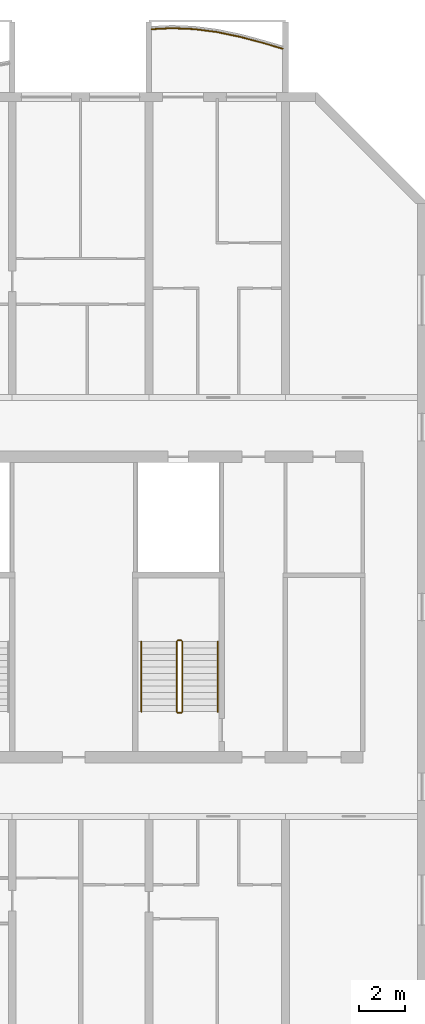
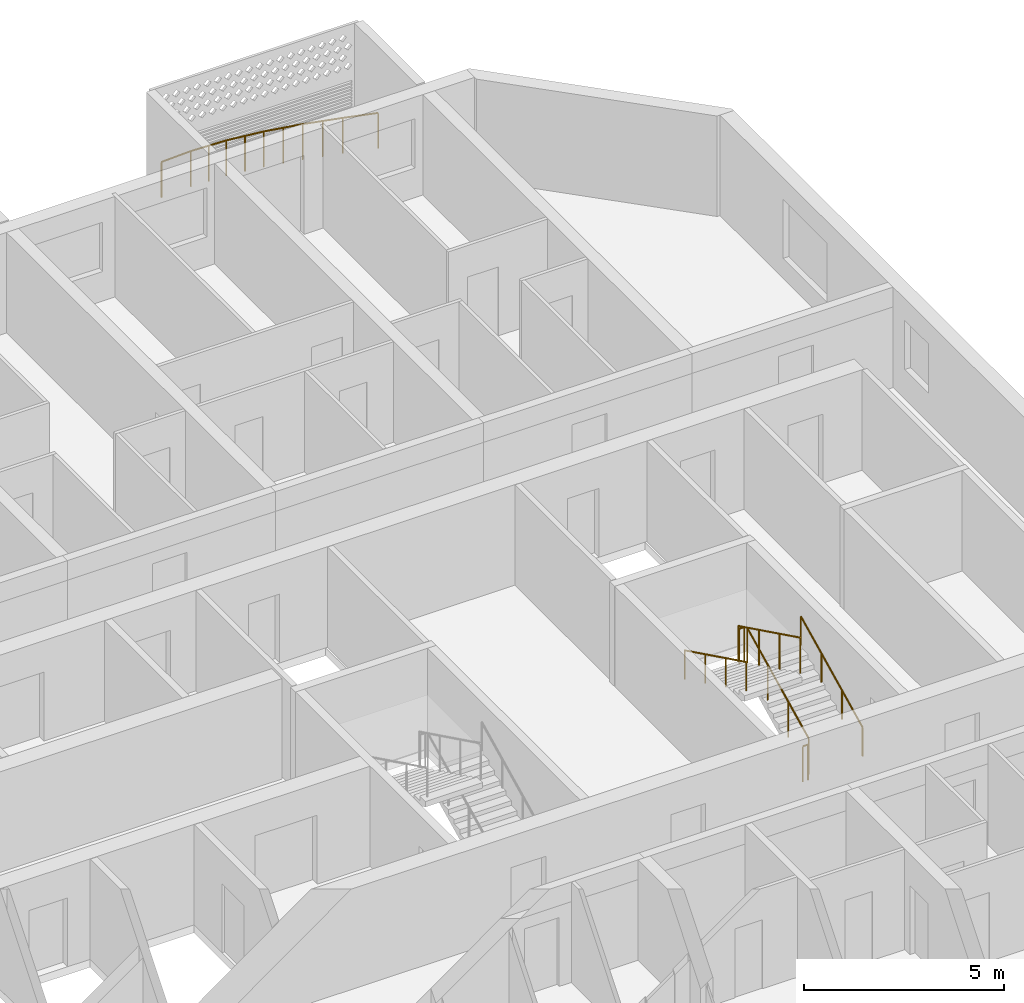
# One storey, part 23 of 24: 7 railings.
"""IFC4 building model written with IfcOpenShell, lengths in metres."""

import ifcopenshell
import ifcopenshell.guid

model = None  # the IFC model being written
_history = None  # IfcOwnerHistory: only IFC2X3 demands one
_inside = {}  # id of a spatial element -> (the spatial element, [elements in it])
_under = {}  # id of a project, library or spatial element -> (it, [spatial elements below it])
_declared = {}  # id of a project -> (the project, [libraries it declares])
_typed = {}  # id of a type object -> (the type object, [elements of that type])
_made_of = {}  # id of a material, layer set ... -> (it, [elements and type objects made of it])


def new_model(schema):
    """Start an empty IFC model of exactly this schema.

    Asked for "IFC4X3", IfcOpenShell would pick the latest addendum, in which some entities
    have other attributes; the version numbers below select the first issue.
    IFC2X3 requires an IfcOwnerHistory on every rooted entity: one is made here for all.
    """
    global model, _history
    if schema == "IFC4X3":
        model = ifcopenshell.file(schema_version=(4, 3, 0, 0))
    else:
        model = ifcopenshell.file(schema=schema)
    _inside.clear()
    _under.clear()
    _declared.clear()
    _typed.clear()
    _made_of.clear()
    _history = None
    if model.schema == "IFC2X3":
        org = make("IfcOrganization", Name="unknown")
        user = make(
            "IfcPersonAndOrganization",
            ThePerson=make("IfcPerson", FamilyName="unknown"),
            TheOrganization=org,
        )
        app = make(
            "IfcApplication",
            ApplicationDeveloper=org,
            Version="unknown",
            ApplicationFullName="unknown",
            ApplicationIdentifier="unknown",
        )
        _history = make(
            "IfcOwnerHistory",
            OwningUser=user,
            OwningApplication=app,
            ChangeAction="ADDED",
            CreationDate=0,
        )
    return model


def make(cls, **values):
    """One entity of the class cls with the attributes given. An attribute that is None is left unset."""
    return model.create_entity(
        cls, **{name: value for name, value in values.items() if value is not None}
    )


def rooted(cls, **values):
    """An entity with a GlobalId (a new one), such as an element, a storey or a relation."""
    return make(cls, GlobalId=ifcopenshell.guid.new(), OwnerHistory=_history, **values)


def si_unit(unit_type, name, prefix=None):
    """IfcSIUnit, for example si_unit("LENGTHUNIT", "METRE", prefix="MILLI")."""
    return make("IfcSIUnit", UnitType=unit_type, Prefix=prefix, Name=name)


def assignment(units):
    """IfcUnitAssignment: the units of a project."""
    return None if units is None else make("IfcUnitAssignment", Units=units)


def point(xyz):
    """IfcCartesianPoint."""
    return None if xyz is None else make("IfcCartesianPoint", Coordinates=xyz)


def direction(xyz):
    """IfcDirection."""
    return None if xyz is None else make("IfcDirection", DirectionRatios=xyz)


def frame(location, z_axis=None, x_axis=None):
    """IfcAxis2Placement3D, a coordinate frame: its origin and axes. An axis left out is left unset."""
    return make(
        "IfcAxis2Placement3D",
        Location=point(location),
        Axis=direction(z_axis),
        RefDirection=direction(x_axis),
    )


def frame_2d(location, x_axis=None):
    """IfcAxis2Placement2D, a coordinate frame in the plane: its origin and x axis."""
    return make(
        "IfcAxis2Placement2D", Location=point(location), RefDirection=direction(x_axis)
    )


def origin():
    """The frame at (0, 0, 0) with its axes left unset."""
    return frame((0.0, 0.0, 0.0))


def origin_2d():
    """The frame at (0, 0) in the plane with its x axis left unset."""
    return frame_2d((0.0, 0.0))


def place(relative_to, where):
    """IfcLocalPlacement: puts the frame where relative to a parent placement (None: the world)."""
    return make(
        "IfcLocalPlacement", PlacementRelTo=relative_to, RelativePlacement=where
    )


def context(
    kind, dimensions, precision=None, world=None, true_north=None, identifier=None
):
    """IfcGeometricRepresentationContext, for example the 3D "Model" context."""
    return make(
        "IfcGeometricRepresentationContext",
        ContextIdentifier=identifier,
        ContextType=kind,
        CoordinateSpaceDimension=dimensions,
        Precision=precision,
        WorldCoordinateSystem=world,
        TrueNorth=true_north,
    )


def subcontext(parent, identifier, kind, view, scale=None):
    """IfcGeometricRepresentationSubContext, for example "Body" below "Model"."""
    return make(
        "IfcGeometricRepresentationSubContext",
        ContextIdentifier=identifier,
        ContextType=kind,
        ParentContext=parent,
        TargetScale=scale,
        TargetView=view,
    )


def project(units=None, contexts=None):
    """IfcProject with its units and contexts."""
    return rooted(
        "IfcProject",
        Name="project",
        RepresentationContexts=contexts,
        UnitsInContext=assignment(units),
    )


def spatial(cls, under=None, at=None, **own):
    """A site, building, storey or space (cls), placed at a placement, below another one or the project."""
    s = rooted(cls, ObjectPlacement=at, **own)
    if under is not None:
        _under.setdefault(under.id(), (under, []))[1].append(s)
    return s


def profile(cls, at=None, kind="AREA", **sizes):
    """A parametric profile (cls). Its sizes go by their IFC names, for example OverallWidth=200.0."""
    return make(cls, ProfileType=kind, Position=at, **sizes)


def circle(**sizes):
    """IfcCircleProfileDef."""
    return profile("IfcCircleProfileDef", **sizes)


def extrude(swept, where, along, depth):
    """IfcExtrudedAreaSolid: the profile swept, set in the frame where, extruded along a direction by depth."""
    return make(
        "IfcExtrudedAreaSolid",
        SweptArea=swept,
        Position=where,
        ExtrudedDirection=direction(along),
        Depth=depth,
    )


def shape(context_of_items, identifier, shape_type, items):
    """IfcShapeRepresentation: the items that make up one representation, for example the "Body"."""
    return make(
        "IfcShapeRepresentation",
        ContextOfItems=context_of_items,
        RepresentationIdentifier=identifier,
        RepresentationType=shape_type,
        Items=items,
    )


def material(Name=None, Category=None):
    """IfcMaterial."""
    return make("IfcMaterial", Name=Name, Category=Category)


def made_of(thing, what):
    """Note that an element or type object is made of a material, layer set ...; save() writes the relation."""
    if what is not None:
        _made_of.setdefault(what.id(), (what, []))[1].append(thing)
    return thing


def type_object(cls, material=None, **own):
    """A type object (cls), such as IfcWallType, which elements share."""
    return made_of(rooted(cls, **own), material)


def element(
    cls,
    number,
    at=None,
    inside=None,
    cuts=None,
    type_object=None,
    material=None,
    context=None,
    identifier="Body",
    shape_type=None,
    held_by="IfcProductDefinitionShape",
    body=None,
    shapes=None,
    **own,
):
    """One element of the class cls, such as IfcWall. Its Tag is "e" and its number.

    at: its placement. inside: the storey or other place that contains it. cuts: it is an
    opening in that element (IfcRelVoidsElement). A single representation is given by context,
    identifier, shape_type and body (its items); several are given by shapes. held_by: the class
    of the entity that holds the representations. save() writes the other relations.
    """
    e = rooted(cls, Tag="e%d" % number, ObjectPlacement=at, **own)
    if body is not None:
        shapes = [shape(context, identifier, shape_type, body)]
    if shapes is not None:
        e.Representation = make(held_by, Representations=shapes)
    if inside is not None:
        _inside.setdefault(inside.id(), (inside, []))[1].append(e)
    if cuts is not None:
        rooted(
            "IfcRelVoidsElement", RelatingBuildingElement=cuts, RelatedOpeningElement=e
        )
    if type_object is not None:
        _typed.setdefault(type_object.id(), (type_object, []))[1].append(e)
    return made_of(e, material)


def aggregate(whole, parts):
    """IfcRelAggregates: a whole, such as a stair, and the parts it consists of."""
    return rooted("IfcRelAggregates", RelatingObject=whole, RelatedObjects=parts)


def save(model, path):
    """Write the relations noted so far, then the file.

    IfcRelAggregates (storeys below a building ...), IfcRelContainedInSpatialStructure (elements
    in a storey), IfcRelDefinesByType, IfcRelAssociatesMaterial and IfcRelDeclares: one each for
    every whole, place, type object, material and project.
    """
    for whole, parts in _under.values():
        aggregate(whole, parts)
    for where, things in _inside.values():
        rooted(
            "IfcRelContainedInSpatialStructure",
            RelatedElements=things,
            RelatingStructure=where,
        )
    for kind, things in _typed.values():
        rooted("IfcRelDefinesByType", RelatedObjects=things, RelatingType=kind)
    for what, things in _made_of.values():
        rooted("IfcRelAssociatesMaterial", RelatedObjects=things, RelatingMaterial=what)
    for by, libraries in _declared.values():
        rooted("IfcRelDeclares", RelatingContext=by, RelatedDefinitions=libraries)
    model.write(path)


model = new_model("IFC4")

# Units and contexts
model_context = context("Model", 3, precision=1e-05, world=origin(), true_north=direction((0.0, 1.0)))
body_context = subcontext(model_context, "Body", "Model", "MODEL_VIEW")
ifc_project = project(units=[si_unit("LENGTHUNIT", "METRE"), si_unit("AREAUNIT", "SQUARE_METRE"), si_unit("VOLUMEUNIT", "CUBIC_METRE"), si_unit("PLANEANGLEUNIT", "RADIAN"), si_unit("MASSUNIT", "GRAM", prefix="KILO")], contexts=[model_context])

# Site, building, storey
site_placement = place(None, origin())
site = spatial("IfcSite", under=ifc_project, at=site_placement, CompositionType="ELEMENT")
building_placement = place(site_placement, origin())
building = spatial("IfcBuilding", under=site, at=building_placement, Name="Poui Terraces", CompositionType="ELEMENT")
storey_placement = place(building_placement, frame((0.0, 0.0, 109.199951171875)))
storey = spatial("IfcBuildingStorey", under=building, at=storey_placement, Name="L30", CompositionType="ELEMENT", Elevation=109.199951171875)

# Railings
ifc_material_1 = material(Name="Painted steel fretwork", Category="steel")
railing_type_1 = type_object("IfcRailingType", Name="BALCONY GUARD 1100", PredefinedType="GUARDRAIL", material=ifc_material_1)
railing_1_placement = place(storey_placement, frame((78.125, 46.576171875, 0.0)))
element("IfcRailing", 1, at=railing_1_placement, inside=storey, type_object=railing_type_1, Name="BALCONY GUARD", PredefinedType="GUARDRAIL", context=body_context, shape_type="SweptSolid", body=[
    extrude(circle(Radius=0.02392578125, at=origin_2d()), frame((0.0, 0.0, 1.076171875), z_axis=(0.998768961938, 0.049604038846, 0.0), x_axis=(-0.049604038846, 0.998768961938, 0.0)), (0.0, 0.0, 1.0), 0.8759765625),
    extrude(circle(Radius=0.02392578125, at=origin_2d()), frame((0.875, 0.04345703125, 1.076171875), z_axis=(0.99920912132, -0.03976344892, 0.0), x_axis=(0.03976344892, 0.99920912132, 0.0)), (0.0, 0.0, 1.0), 1.000732421875),
    extrude(circle(Radius=0.02392578125, at=origin_2d()), frame((1.875, 0.003662109375, 1.076171875), z_axis=(0.991577447063, -0.129515120649, 0.0), x_axis=(0.129515120649, 0.991577447063, 0.0)), (0.0, 0.0, 1.0), 1.008544921875),
    extrude(circle(Radius=0.02392578125, at=origin_2d()), frame((2.875, -0.126953125, 1.076171875), z_axis=(0.978948594034, -0.204106957838, 0.0), x_axis=(0.204106957838, 0.978948594034, 0.0)), (0.0, 0.0, 1.0), 1.021484375),
    extrude(circle(Radius=0.02392578125, at=origin_2d()), frame((3.875, -0.33544921875, 1.076171875), z_axis=(0.966718963822, -0.255840663277, 0.0), x_axis=(0.255840663277, 0.966718963822, 0.0)), (0.0, 0.0, 1.0), 1.034423828125),
    extrude(circle(Radius=0.02392578125, at=origin_2d()), frame((4.875, -0.60009765625, 1.076171875), z_axis=(0.959663427085, -0.281151394654, 0.0), x_axis=(0.281151394654, 0.959663427085, 0.0)), (0.0, 0.0, 1.0), 0.911865234375),
    extrude(circle(Radius=0.02099609375, at=origin_2d()), origin(), (0.0, 0.0, 1.0), 1.052001953125),
    extrude(circle(Radius=0.02099609375, at=origin_2d()), frame((0.875, 0.04345703125, 0.0)), (0.0, 0.0, 1.0), 1.052001953125),
    extrude(circle(Radius=0.02099609375, at=origin_2d()), frame((1.375, 0.0234375, 0.0)), (0.0, 0.0, 1.0), 1.052001953125),
    extrude(circle(Radius=0.02099609375, at=origin_2d()), frame((1.875, 0.003662109375, 0.0)), (0.0, 0.0, 1.0), 1.052001953125),
    extrude(circle(Radius=0.02099609375, at=origin_2d()), frame((2.375, -0.0615234375, 0.0)), (0.0, 0.0, 1.0), 1.052001953125),
    extrude(circle(Radius=0.02099609375, at=origin_2d()), frame((2.875, -0.126953125, 0.0)), (0.0, 0.0, 1.0), 1.052001953125),
    extrude(circle(Radius=0.02099609375, at=origin_2d()), frame((3.375, -0.231201171875, 0.0)), (0.0, 0.0, 1.0), 1.052001953125),
    extrude(circle(Radius=0.02099609375, at=origin_2d()), frame((3.875, -0.33544921875, 0.0)), (0.0, 0.0, 1.0), 1.052001953125),
    extrude(circle(Radius=0.02099609375, at=origin_2d()), frame((4.375, -0.4677734375, 0.0)), (0.0, 0.0, 1.0), 1.052001953125),
    extrude(circle(Radius=0.02099609375, at=origin_2d()), frame((4.875, -0.60009765625, 0.0)), (0.0, 0.0, 1.0), 1.052001953125),
    extrude(circle(Radius=0.02099609375, at=origin_2d()), frame((5.75, -0.8564453125, 0.0)), (0.0, 0.0, 1.0), 1.052001953125),
])
ifc_material_2 = material(Name="Galvanised steel balustrade", Category="steel")
railing_type_2 = type_object("IfcRailingType", Name="STAIR GUARD 1100", PredefinedType="GUARDRAIL", material=ifc_material_2)
railing_2_placement = place(storey_placement, frame((79.47509765625, 16.60009765625, 0.137451171875)))
element("IfcRailing", 2, at=railing_2_placement, inside=storey, type_object=railing_type_2, Name="L30 ST-E stair guard 1", PredefinedType="GUARDRAIL", context=body_context, shape_type="SweptSolid", body=[
    extrude(circle(Radius=0.02392578125, at=origin_2d()), frame((0.0, 0.0, 1.076171875), z_axis=(0.0, 0.897578036475, 0.440855609512), x_axis=(-1.0, 0.0, 0.0)), (0.0, 0.0, 1.0), 3.43115234375),
    extrude(circle(Radius=0.02099609375, at=origin_2d()), origin(), (0.0, 0.0, 1.0), 1.052001953125),
    extrude(circle(Radius=0.02099609375, at=origin_2d()), frame((0.0, 1.026611328125, 0.504150390625)), (0.0, 0.0, 1.0), 1.052001953125),
    extrude(circle(Radius=0.02099609375, at=origin_2d()), frame((0.0, 2.05322265625, 1.008544921875)), (0.0, 0.0, 1.0), 1.052001953125),
    extrude(circle(Radius=0.02099609375, at=origin_2d()), frame((0.0, 3.079833984375, 1.5126953125)), (0.0, 0.0, 1.0), 1.052001953125),
])
railing_3_placement = place(storey_placement, frame((79.425048828125, 19.72998046875, 1.650146484375)))
element("IfcRailing", 3, at=railing_3_placement, inside=storey, type_object=railing_type_2, Name="L30 ST-E stair guard 2", PredefinedType="GUARDRAIL", context=body_context, shape_type="SweptSolid", body=[
    extrude(circle(Radius=0.02392578125, at=origin_2d()), frame((0.0, 0.0, 1.076171875), z_axis=(-1.0, 0.0, 0.0), x_axis=(0.0, -1.0, 0.0)), (0.0, 0.0, 1.0), 0.150146484375),
    extrude(circle(Radius=0.02099609375, at=origin_2d()), origin(), (0.0, 0.0, 1.0), 1.052001953125),
    extrude(circle(Radius=0.02099609375, at=origin_2d()), frame((-0.150146484375, 0.0, 0.0)), (0.0, 0.0, 1.0), 1.052001953125),
])
railing_4_placement = place(storey_placement, frame((79.22509765625, 19.679931640625, 1.78759765625)))
element("IfcRailing", 4, at=railing_4_placement, inside=storey, type_object=railing_type_2, Name="L30 ST-E stair guard 3", PredefinedType="GUARDRAIL", context=body_context, shape_type="SweptSolid", body=[
    extrude(circle(Radius=0.02392578125, at=origin_2d()), frame((0.0, 0.0, 1.076171875), z_axis=(0.0, -0.897606190399, 0.440798283751), x_axis=(1.0, 0.0, 0.0)), (0.0, 0.0, 1.0), 3.43115234375),
    extrude(circle(Radius=0.02099609375, at=origin_2d()), origin(), (0.0, 0.0, 1.0), 1.052001953125),
    extrude(circle(Radius=0.02099609375, at=origin_2d()), frame((0.0, -1.026611328125, 0.504150390625)), (0.0, 0.0, 1.0), 1.052001953125),
    extrude(circle(Radius=0.02099609375, at=origin_2d()), frame((0.0, -2.05322265625, 1.00830078125)), (0.0, 0.0, 1.0), 1.052001953125),
    extrude(circle(Radius=0.02099609375, at=origin_2d()), frame((0.0, -3.079833984375, 1.512451171875)), (0.0, 0.0, 1.0), 1.052001953125),
])
railing_5_placement = place(storey_placement, frame((79.425048828125, 16.550048828125, 0.0)))
element("IfcRailing", 5, at=railing_5_placement, inside=storey, type_object=railing_type_2, Name="L30 ST-E stair guard 4", PredefinedType="GUARDRAIL", context=body_context, shape_type="SweptSolid", body=[
    extrude(circle(Radius=0.02392578125, at=origin_2d()), frame((0.0, 0.0, 1.076171875), z_axis=(-1.0, 0.0, 0.0), x_axis=(0.0, -1.0, 0.0)), (0.0, 0.0, 1.0), 0.150146484375),
    extrude(circle(Radius=0.02099609375, at=origin_2d()), origin(), (0.0, 0.0, 1.0), 1.052001953125),
    extrude(circle(Radius=0.02099609375, at=origin_2d()), frame((-0.150146484375, 0.0, 0.0)), (0.0, 0.0, 1.0), 1.052001953125),
])
ifc_material_3 = material(Name="Stainless steel handrail", Category="steel")
railing_type_3 = type_object("IfcRailingType", Name="STAIR HANDRAIL 900", PredefinedType="HANDRAIL", material=ifc_material_3)
railing_6_placement = place(storey_placement, frame((81.02490234375, 16.60009765625, 0.137451171875)))
element("IfcRailing", 6, at=railing_6_placement, inside=storey, type_object=railing_type_3, Name="L30 ST-E stair handrail 1", PredefinedType="HANDRAIL", context=body_context, shape_type="SweptSolid", body=[
    extrude(circle(Radius=0.02392578125, at=origin_2d()), frame((0.0, 0.0, 0.8759765625), z_axis=(0.0, 0.897578036475, 0.440855609512), x_axis=(-1.0, 0.0, 0.0)), (0.0, 0.0, 1.0), 3.43115234375),
    extrude(circle(Radius=0.02099609375, at=origin_2d()), origin(), (0.0, 0.0, 1.0), 0.851806640625),
    extrude(circle(Radius=0.02099609375, at=origin_2d()), frame((0.0, 1.026611328125, 0.504150390625)), (0.0, 0.0, 1.0), 0.851806640625),
    extrude(circle(Radius=0.02099609375, at=origin_2d()), frame((0.0, 2.05322265625, 1.008544921875)), (0.0, 0.0, 1.0), 0.851806640625),
    extrude(circle(Radius=0.02099609375, at=origin_2d()), frame((0.0, 3.079833984375, 1.5126953125)), (0.0, 0.0, 1.0), 0.851806640625),
])
railing_7_placement = place(storey_placement, frame((77.675048828125, 19.679931640625, 1.78759765625)))
element("IfcRailing", 7, at=railing_7_placement, inside=storey, type_object=railing_type_3, Name="L30 ST-E stair handrail 2", PredefinedType="HANDRAIL", context=body_context, shape_type="SweptSolid", body=[
    extrude(circle(Radius=0.02392578125, at=origin_2d()), frame((0.0, 0.0, 0.8759765625), z_axis=(0.0, -0.897606190399, 0.440798283751), x_axis=(1.0, 0.0, 0.0)), (0.0, 0.0, 1.0), 3.43115234375),
    extrude(circle(Radius=0.02099609375, at=origin_2d()), origin(), (0.0, 0.0, 1.0), 0.851806640625),
    extrude(circle(Radius=0.02099609375, at=origin_2d()), frame((0.0, -1.026611328125, 0.504150390625)), (0.0, 0.0, 1.0), 0.851806640625),
    extrude(circle(Radius=0.02099609375, at=origin_2d()), frame((0.0, -2.05322265625, 1.00830078125)), (0.0, 0.0, 1.0), 0.851806640625),
    extrude(circle(Radius=0.02099609375, at=origin_2d()), frame((0.0, -3.079833984375, 1.512451171875)), (0.0, 0.0, 1.0), 0.851806640625),
])

save(model, "model.ifc")
